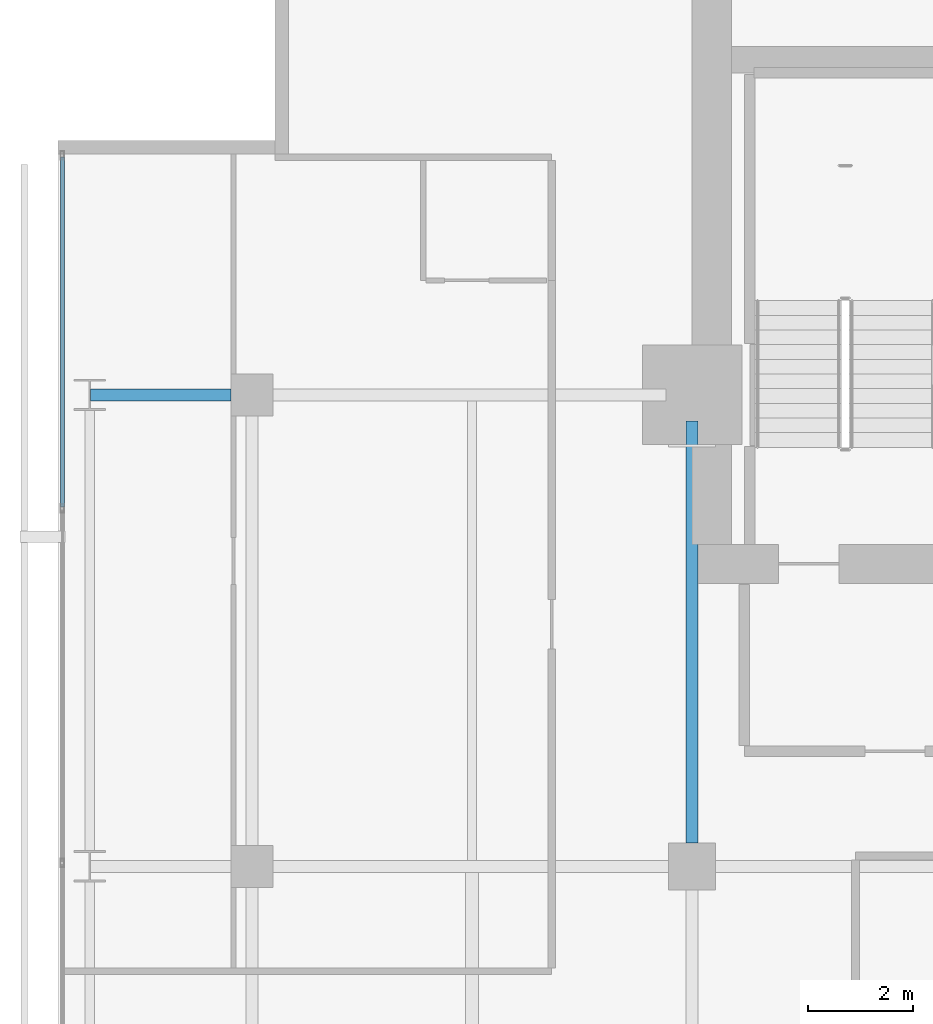
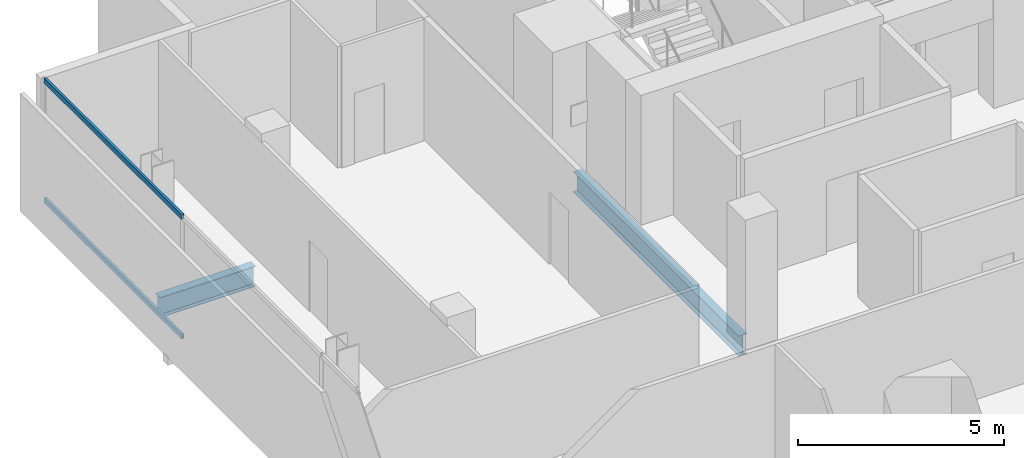
# One storey, part 19 of 32: 2 beams, 2 members, 1 element without a shape of its own.
"""IFC4 building model written with IfcOpenShell, lengths in metres."""

from ifc_helpers import new_model, si_unit, direction, frame, origin, origin_2d, place, context, subcontext, project, spatial, hollow_rectangle, i_section, extrude, material, layer, layer_set, material_profile, profile_set, type_object, element, aggregate, save


model = new_model("IFC4")

# Units and contexts
model_context = context("Model", 3, precision=1e-05, world=origin(), true_north=direction((0.0, 1.0)))
body_context = subcontext(model_context, "Body", "Model", "MODEL_VIEW")
ifc_project = project(units=[si_unit("LENGTHUNIT", "METRE"), si_unit("AREAUNIT", "SQUARE_METRE"), si_unit("VOLUMEUNIT", "CUBIC_METRE"), si_unit("PLANEANGLEUNIT", "RADIAN"), si_unit("MASSUNIT", "GRAM", prefix="KILO")], contexts=[model_context])

# Site, building, storey
site_placement = place(None, origin())
site = spatial("IfcSite", under=ifc_project, at=site_placement, CompositionType="ELEMENT")
building_placement = place(site_placement, origin())
building = spatial("IfcBuilding", under=site, at=building_placement, Name="Maruvema Waterfront Hotel and Observation Tower", CompositionType="ELEMENT")
storey_placement = place(building_placement, frame((0.0, 0.0, 165.89990234375)))
storey = spatial("IfcBuildingStorey", under=building, at=storey_placement, Name="L40", CompositionType="ELEMENT", Elevation=165.89990234375)

# Curtain wall, members
ifc_material_1 = material(Name="Anodised bronze aluminium and solar-control low-E IGU", Category="aluminium")
ifc_layer = layer(ifc_material_1, 0.159912109375, Name="Zone 2 Amber Inner Thermal Curtain Wall System CW-03")
ifc_layer_set = layer_set([ifc_layer], Name="Anodised bronze aluminium and solar-control low-E IGU")
curtain_wall_type = type_object("IfcCurtainWallType", Name="Zone 2 Amber Inner Thermal Curtain Wall System CW-03", PredefinedType="USERDEFINED", material=ifc_layer_set)
curtain_wall_placement = place(storey_placement, origin())
curtain_wall = element("IfcCurtainWall", 1, at=curtain_wall_placement, inside=storey, type_object=curtain_wall_type, Name="L40 Curtain Wall CW-L40-W", ObjectType="UNITISED CURTAIN WALL", PredefinedType="USERDEFINED")
ifc_material_2 = material(Name="Anodised architectural bronze aluminium", Category="aluminium")
ifc_material_profile_1 = material_profile(ifc_material_2, hollow_rectangle(XDim=0.070068359375, YDim=0.14990234375, WallThickness=0.00390625, at=origin_2d()), Name="ALU-T70x150")
ifc_profile_set_1 = profile_set([ifc_material_profile_1], Name="Anodised architectural bronze aluminium")
member_type = type_object("IfcMemberType", Name="Curtain Wall Horizontal Transom ALU-T70x150", PredefinedType="USERDEFINED", material=ifc_profile_set_1)
member_1_placement = place(storey_placement, frame((13.179931640625, 49.5400390625, 0.030029296875), z_axis=(0.0, -1.0, 0.0), x_axis=(1.0, 0.0, 0.0)))
member_1 = element("IfcMember", 2, at=member_1_placement, type_object=member_type, Name="CW-03 transom 1.1", ObjectType="TRANSOM", PredefinedType="USERDEFINED", context=body_context, shape_type="SweptSolid", body=[
    extrude(hollow_rectangle(XDim=0.070068359375, YDim=0.14990234375, WallThickness=0.00390625, at=origin_2d()), origin(), (0.0, 0.0, 1.0), 6.6767578125),
])
member_2_placement = place(storey_placement, frame((13.179931640625, 49.5400390625, 3.580078125), z_axis=(0.0, -1.0, 0.0), x_axis=(1.0, 0.0, 0.0)))
member_2 = element("IfcMember", 3, at=member_2_placement, type_object=member_type, Name="CW-03 transom 1.2", ObjectType="TRANSOM", PredefinedType="USERDEFINED", context=body_context, shape_type="SweptSolid", body=[
    extrude(hollow_rectangle(XDim=0.070068359375, YDim=0.14990234375, WallThickness=0.00390625, at=origin_2d()), origin(), (0.0, 0.0, 1.0), 6.6767578125),
])
aggregate(curtain_wall, [member_1, member_2])

# Beams
ifc_material_3 = material(Name="Steel ASTM A572 Grade 50", Category="steel")
ifc_material_profile_2 = material_profile(ifc_material_3, i_section(OverallWidth=0.22802734375, OverallDepth=0.60302734375, WebThickness=0.010498046875, FlangeThickness=0.014892578125, FilletRadius=0.01806640625, at=origin_2d()), Name="W610x101.0")
ifc_profile_set_2 = profile_set([ifc_material_profile_2], Name="Steel ASTM A572 Grade 50")
beam_type = type_object("IfcBeamType", Name="Primary Floor Girder W610x101.0", PredefinedType="BEAM", material=ifc_profile_set_2)
beam_1_placement = place(storey_placement, frame((13.71240234375, 45.0, -0.54150390625), z_axis=(1.0, 0.0, 0.0), x_axis=(0.0, 1.0, 0.0)))
element("IfcBeam", 4, at=beam_1_placement, inside=storey, type_object=beam_type, Name="L40 Floor Girder EW-30", PredefinedType="BEAM", context=body_context, shape_type="SweptSolid", body=[
    extrude(i_section(OverallWidth=0.22802734375, OverallDepth=0.60302734375, WebThickness=0.010498046875, FlangeThickness=0.014892578125, FilletRadius=0.01806640625, at=origin_2d()), origin(), (0.0, 0.0, 1.0), 2.6875),
])
beam_2_placement = place(storey_placement, frame((25.199951171875, 36.449951171875, -0.54150390625), z_axis=(0.0, 1.0, 0.0), x_axis=(-1.0, 0.0, 0.0)))
element("IfcBeam", 5, at=beam_2_placement, inside=storey, type_object=beam_type, Name="L40 Floor Girder NS-13", PredefinedType="BEAM", context=body_context, shape_type="SweptSolid", body=[
    extrude(i_section(OverallWidth=0.22802734375, OverallDepth=0.60302734375, WebThickness=0.010498046875, FlangeThickness=0.014892578125, FilletRadius=0.01806640625, at=origin_2d()), origin(), (0.0, 0.0, 1.0), 8.050048828125),
])

save(model, "model.ifc")
